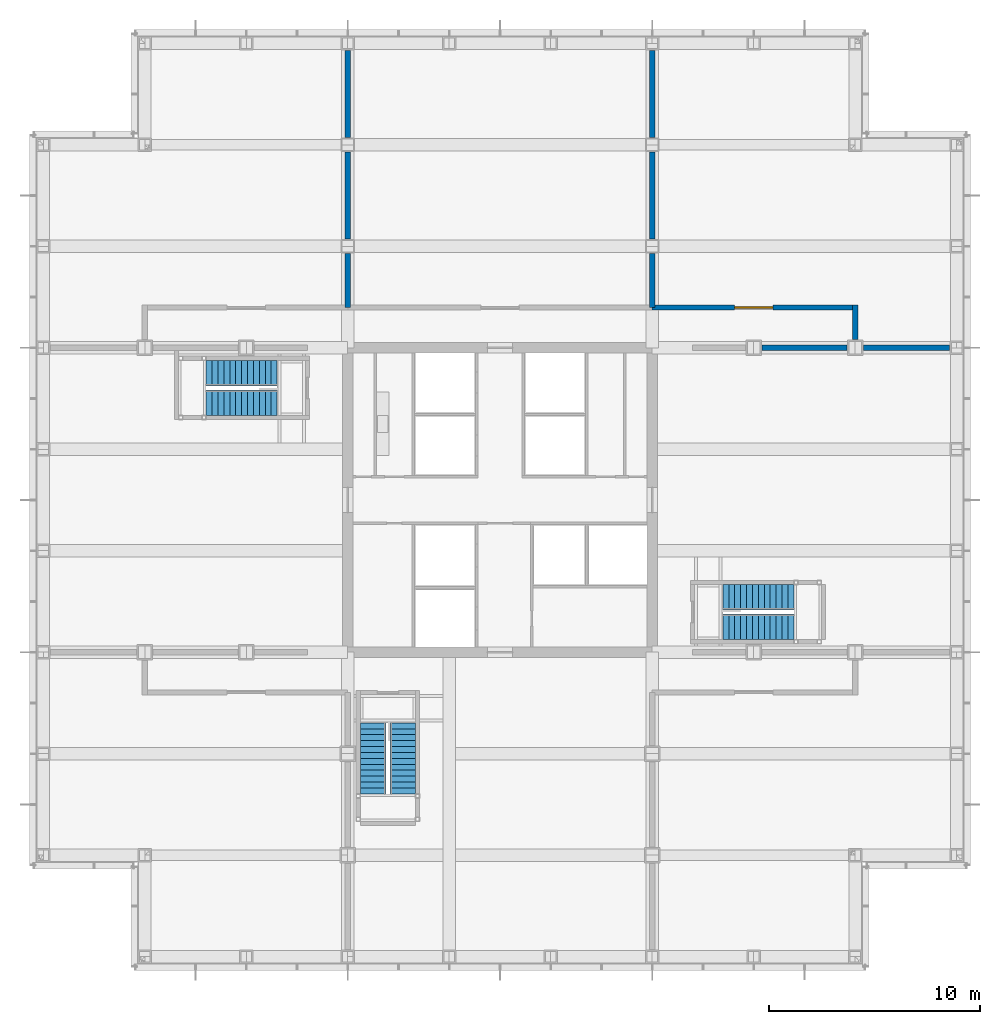
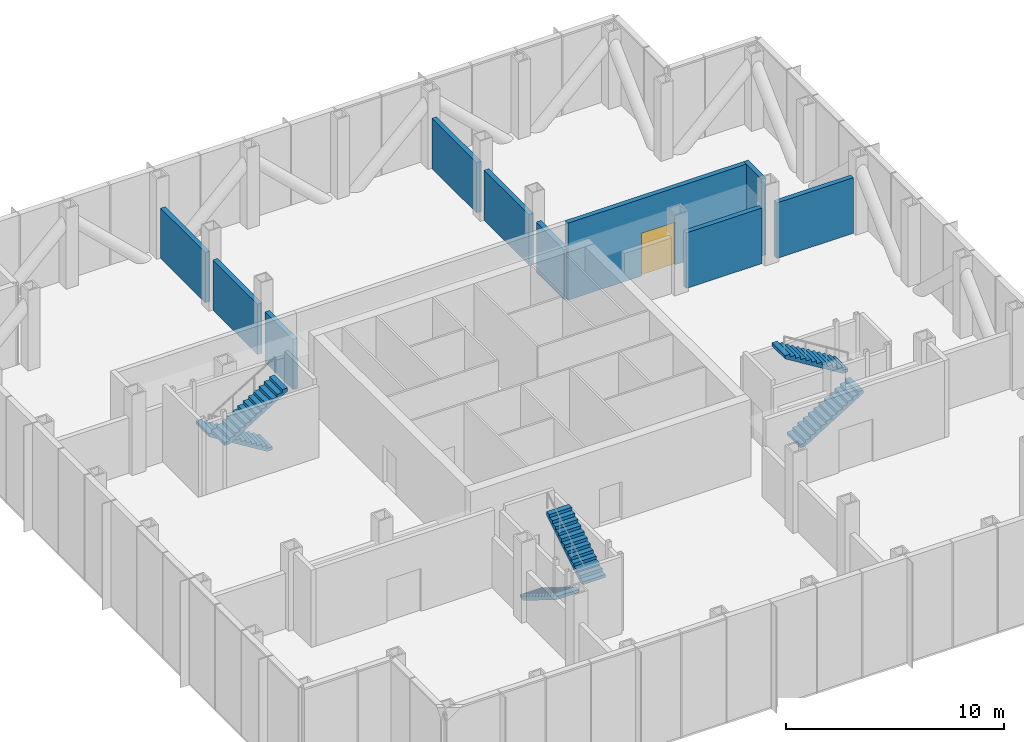
# One storey, part 15 of 18: 10 walls, 6 stair flights, 1 door, 1 opening, 3 elements without a shape of their own.
"""IFC4 building model written with IfcOpenShell, lengths in metres."""

from ifc_helpers import new_model, si_unit, direction, frame, frame_2d, origin, place, context, subcontext, project, spatial, polyline, rectangle, outline, extrude, material, layer, layer_set, type_object, element, fill, aggregate, save


model = new_model("IFC4")

# Units and contexts
model_context = context("Model", 3, precision=1e-05, world=origin(), true_north=direction((0.0, 1.0)))
body_context = subcontext(model_context, "Body", "Model", "MODEL_VIEW")
ifc_project = project(units=[si_unit("LENGTHUNIT", "METRE"), si_unit("AREAUNIT", "SQUARE_METRE"), si_unit("VOLUMEUNIT", "CUBIC_METRE"), si_unit("PLANEANGLEUNIT", "RADIAN"), si_unit("MASSUNIT", "GRAM", prefix="KILO")], contexts=[model_context])

# Site, building, storey
site_placement = place(None, origin())
site = spatial("IfcSite", under=ifc_project, at=site_placement, CompositionType="ELEMENT")
building_placement = place(site_placement, origin())
building = spatial("IfcBuilding", under=site, at=building_placement, Name="Kvirike Care Tower", CompositionType="ELEMENT")
storey_placement = place(building_placement, frame((0.0, 0.0, 79.5)))
storey = spatial("IfcBuildingStorey", under=building, at=storey_placement, Name="L21", CompositionType="ELEMENT", Elevation=79.5)

# Wall, opening, door
ifc_material_1 = material(Name="Concrete blockwork", Category="masonry")
ifc_layer = layer(ifc_material_1, 0.25)
ifc_layer_set = layer_set([ifc_layer], Name="PLANT ROOM WALL 250")
wall_type = type_object("IfcWallType", Name="PLANT ROOM WALL 250", PredefinedType="SOLIDWALL", material=ifc_layer_set)
wall_1_placement = place(storey_placement, frame((38.39990234375, 45.10009765625, 0.0), z_axis=(0.0, 0.0, 1.0), x_axis=(-1.0, 0.0, 0.0)))
wall_1 = element("IfcWall", 1, at=wall_1_placement, inside=storey, type_object=wall_type, Name="Plant Room Wall 250 L21", PredefinedType="SOLIDWALL", context=body_context, shape_type="SweptSolid", body=[
    extrude(rectangle(XDim=9.599853515625, YDim=0.25, at=frame_2d((4.7998046875, 0.0))), origin(), (0.0, 0.0, 1.0), 4.330078125),
])
opening_placement = place(wall_1_placement, frame((3.89990234375, 0.0, 0.0)))
opening = element("IfcOpeningElement", 2, at=opening_placement, cuts=wall_1, Name="Opening 21-008", PredefinedType="OPENING", context=body_context, shape_type="SweptSolid", body=[
    extrude(rectangle(XDim=1.800048828125, YDim=2.39990234375, at=frame_2d((0.89990234375, 1.199951171875))), frame((0.0, 0.135498046875, 0.0), z_axis=(0.0, -1.0, 0.0), x_axis=(1.0, 0.0, 0.0)), (0.0, 0.0, 1.0), 0.27099609375),
])
ifc_material_2 = material(Name="Timber door set", Category="wood")
door_type = type_object("IfcDoorType", Name="PLANT ROOM DOOR 1800", OperationType="DOUBLE_DOOR_SINGLE_SWING", PredefinedType="DOOR", material=ifc_material_2)
door_placement = place(opening_placement, frame((1.800048828125, 0.0, 0.0), z_axis=(0.0, 0.0, 1.0), x_axis=(-1.0, 0.0, 0.0)))
door = element("IfcDoor", 3, at=door_placement, inside=storey, type_object=door_type, Name="Mechanical plant room door", OperationType="DOUBLE_DOOR_SINGLE_SWING", OverallHeight=2.39990234375, OverallWidth=1.800048828125, PredefinedType="DOOR", context=body_context, shape_type="SweptSolid", body=[
    extrude(rectangle(XDim=1.800048828125, YDim=2.39990234375, at=frame_2d((0.89990234375, 1.199951171875))), frame((0.0, 0.031982421875, 0.0), z_axis=(0.0, -1.0, 0.0), x_axis=(1.0, 0.0, 0.0)), (0.0, 0.0, 1.0), 0.06396484375),
])
fill(opening, door)

# Walls
wall_2_placement = place(storey_placement, frame((38.39990234375, 45.22509765625, 0.0), z_axis=(0.0, 0.0, 1.0), x_axis=(0.0, -1.0, 0.0)))
element("IfcWall", 4, at=wall_2_placement, inside=storey, type_object=wall_type, Name="Plant Room Wall 250 L21", PredefinedType="SOLIDWALL", context=body_context, shape_type="SweptSolid", body=[
    extrude(rectangle(XDim=1.630126953125, YDim=0.25, at=frame_2d((0.81494140625, 0.0))), origin(), (0.0, 0.0, 1.0), 4.330078125),
])
wall_3_placement = place(storey_placement, frame((14.39990234375, 45.10009765625, 0.0), z_axis=(0.0, 0.0, 1.0), x_axis=(0.0, 1.0, 0.0)))
element("IfcWall", 5, at=wall_3_placement, inside=storey, type_object=wall_type, Name="Plant Room Wall 250 L21", PredefinedType="SOLIDWALL", context=body_context, shape_type="SweptSolid", body=[
    extrude(rectangle(XDim=2.554931640625, YDim=0.25, at=frame_2d((1.27734375, 0.0))), origin(), (0.0, 0.0, 1.0), 2.820068359375),
])
wall_4_placement = place(storey_placement, frame((14.39990234375, 48.344970703125, 0.0), z_axis=(0.0, 0.0, 1.0), x_axis=(0.0, 1.0, 0.0)))
element("IfcWall", 6, at=wall_4_placement, inside=storey, type_object=wall_type, Name="Plant Room Wall 250 L21", PredefinedType="SOLIDWALL", context=body_context, shape_type="SweptSolid", body=[
    extrude(rectangle(XDim=4.110107421875, YDim=0.25, at=frame_2d((2.05517578125, 0.0))), origin(), (0.0, 0.0, 1.0), 2.820068359375),
])
wall_5_placement = place(storey_placement, frame((14.39990234375, 53.14501953125, 0.0), z_axis=(0.0, 0.0, 1.0), x_axis=(0.0, 1.0, 0.0)))
element("IfcWall", 7, at=wall_5_placement, inside=storey, type_object=wall_type, Name="Plant Room Wall 250 L21", PredefinedType="SOLIDWALL", context=body_context, shape_type="SweptSolid", body=[
    extrude(rectangle(XDim=4.10986328125, YDim=0.25, at=frame_2d((2.054931640625, 0.0))), origin(), (0.0, 0.0, 1.0), 2.820068359375),
])
wall_6_placement = place(storey_placement, frame((28.800048828125, 45.10009765625, 0.0), z_axis=(0.0, 0.0, 1.0), x_axis=(0.0, 1.0, 0.0)))
element("IfcWall", 8, at=wall_6_placement, inside=storey, type_object=wall_type, Name="Plant Room Wall 250 L21", PredefinedType="SOLIDWALL", context=body_context, shape_type="SweptSolid", body=[
    extrude(rectangle(XDim=2.554931640625, YDim=0.25, at=frame_2d((1.27734375, 0.0))), origin(), (0.0, 0.0, 1.0), 2.820068359375),
])
wall_7_placement = place(storey_placement, frame((28.800048828125, 48.344970703125, 0.0), z_axis=(0.0, 0.0, 1.0), x_axis=(0.0, 1.0, 0.0)))
element("IfcWall", 9, at=wall_7_placement, inside=storey, type_object=wall_type, Name="Plant Room Wall 250 L21", PredefinedType="SOLIDWALL", context=body_context, shape_type="SweptSolid", body=[
    extrude(rectangle(XDim=4.110107421875, YDim=0.25, at=frame_2d((2.05517578125, 0.0))), origin(), (0.0, 0.0, 1.0), 2.820068359375),
])
wall_8_placement = place(storey_placement, frame((28.800048828125, 53.14501953125, 0.0), z_axis=(0.0, 0.0, 1.0), x_axis=(0.0, 1.0, 0.0)))
element("IfcWall", 10, at=wall_8_placement, inside=storey, type_object=wall_type, Name="Plant Room Wall 250 L21", PredefinedType="SOLIDWALL", context=body_context, shape_type="SweptSolid", body=[
    extrude(rectangle(XDim=4.10986328125, YDim=0.25, at=frame_2d((2.054931640625, 0.0))), origin(), (0.0, 0.0, 1.0), 2.820068359375),
])
wall_9_placement = place(storey_placement, frame((42.85498046875, 43.199951171875, 0.0), z_axis=(0.0, 0.0, 1.0), x_axis=(-1.0, 0.0, 0.0)))
element("IfcWall", 11, at=wall_9_placement, inside=storey, type_object=wall_type, Name="Plant Room Wall 250 L21", PredefinedType="SOLIDWALL", context=body_context, shape_type="SweptSolid", body=[
    extrude(rectangle(XDim=4.06005859375, YDim=0.25, at=frame_2d((2.030029296875, 0.0))), origin(), (0.0, 0.0, 1.0), 3.1201171875),
])
wall_10_placement = place(storey_placement, frame((38.0048828125, 43.199951171875, 0.0), z_axis=(0.0, 0.0, 1.0), x_axis=(-1.0, 0.0, 0.0)))
element("IfcWall", 12, at=wall_10_placement, inside=storey, type_object=wall_type, Name="Plant Room Wall 250 L21", PredefinedType="SOLIDWALL", context=body_context, shape_type="SweptSolid", body=[
    extrude(rectangle(XDim=4.009765625, YDim=0.25, at=frame_2d((2.0048828125, 0.0))), origin(), (0.0, 0.0, 1.0), 3.1201171875),
])

# Stair, stair flights
ifc_material_3 = material(Name="Concrete C35/45", Category="concrete")
stair_type = type_object("IfcStairType", Name="STAIR 26 RISERS", PredefinedType="HALF_TURN_STAIR", material=ifc_material_3)
stair_1_placement = place(storey_placement, origin())
stair_1 = element("IfcStair", 13, at=stair_1_placement, inside=storey, type_object=stair_type, Name="Stair 1 L21", PredefinedType="HALF_TURN_STAIR")
ifc_material_4 = material(Name="Concrete C35/45", Category="concrete")
stair_flight_type = type_object("IfcStairFlightType", Name="FLIGHT 13 RISERS", PredefinedType="STRAIGHT", material=ifc_material_4)
stair_flight_1_placement = place(storey_placement, frame((11.06005859375, 42.0, 0.0), z_axis=(0.0, 0.0, 1.0), x_axis=(-1.0, 0.0, 0.0)))
stair_flight_1 = element("IfcStairFlight", 14, at=stair_flight_1_placement, type_object=stair_flight_type, Name="Stair S1 flight 1 L21-L22", NumberOfRisers=13, NumberOfTreads=12, PredefinedType="STRAIGHT", RiserHeight=0.173076923, TreadLength=0.28, context=body_context, shape_type="SweptSolid", body=[
    extrude(outline(polyline([(0.0, 0.0), (0.0, 0.173095703125), (0.280029296875, 0.173095703125), (0.280029296875, 0.34619140625), (0.56005859375, 0.34619140625), (0.56005859375, 0.519287109375), (0.840087890625, 0.519287109375), (0.840087890625, 0.6923828125), (1.1201171875, 0.6923828125), (1.1201171875, 0.865478515625), (1.39990234375, 0.865478515625), (1.39990234375, 1.03857421875), (1.679931640625, 1.03857421875), (1.679931640625, 1.21142578125), (1.9599609375, 1.21142578125), (1.9599609375, 1.384521484375), (2.239990234375, 1.384521484375), (2.239990234375, 1.5576171875), (2.52001953125, 1.5576171875), (2.52001953125, 1.730712890625), (2.800048828125, 1.730712890625), (2.800048828125, 1.90380859375), (3.080078125, 1.90380859375), (3.080078125, 2.076904296875), (3.360107421875, 2.076904296875), (3.360107421875, 2.25), (3.360107421875, 1.900634765625), (0.28515625, 0.0), (0.0, 0.0)])), frame((0.0, 0.60009765625, 0.0), z_axis=(0.0, -1.0, 0.0), x_axis=(1.0, 0.0, 0.0)), (0.0, 0.0, 1.0), 1.199951171875),
])
stair_flight_2_placement = place(storey_placement, frame((7.699951171875, 40.60009765625, 2.25), z_axis=(0.0, 0.0, 1.0), x_axis=(1.0, 0.0, 0.0)))
stair_flight_2 = element("IfcStairFlight", 15, at=stair_flight_2_placement, type_object=stair_flight_type, Name="Stair S1 flight 2 L21-L22", NumberOfRisers=13, NumberOfTreads=12, PredefinedType="STRAIGHT", RiserHeight=0.173076923, TreadLength=0.28, context=body_context, shape_type="SweptSolid", body=[
    extrude(outline(polyline([(0.0, 0.0), (0.0, 0.173095703125), (0.280029296875, 0.173095703125), (0.280029296875, 0.34619140625), (0.56005859375, 0.34619140625), (0.56005859375, 0.519287109375), (0.840087890625, 0.519287109375), (0.840087890625, 0.6923828125), (1.1201171875, 0.6923828125), (1.1201171875, 0.865478515625), (1.39990234375, 0.865478515625), (1.39990234375, 1.03857421875), (1.679931640625, 1.03857421875), (1.679931640625, 1.21142578125), (1.9599609375, 1.21142578125), (1.9599609375, 1.384521484375), (2.239990234375, 1.384521484375), (2.239990234375, 1.5576171875), (2.52001953125, 1.5576171875), (2.52001953125, 1.730712890625), (2.800048828125, 1.730712890625), (2.800048828125, 1.90380859375), (3.080078125, 1.90380859375), (3.080078125, 2.076904296875), (3.360107421875, 2.076904296875), (3.360107421875, 2.25), (3.360107421875, 1.900634765625), (0.28515625, 0.0), (0.0, 0.0)])), frame((0.0, 0.60009765625, 0.0), z_axis=(0.0, -1.0, 0.0), x_axis=(1.0, 0.0, 0.0)), (0.0, 0.0, 1.0), 1.199951171875),
])
aggregate(stair_1, [stair_flight_1, stair_flight_2])

stair_2_placement = place(storey_placement, origin())
stair_2 = element("IfcStair", 16, at=stair_2_placement, inside=storey, type_object=stair_type, Name="Stair 2 L21", PredefinedType="HALF_TURN_STAIR")
stair_flight_3_placement = place(storey_placement, frame((32.139892578125, 30.0, 0.0), z_axis=(0.0, 0.0, 1.0), x_axis=(1.0, 0.0, 0.0)))
stair_flight_3 = element("IfcStairFlight", 17, at=stair_flight_3_placement, type_object=stair_flight_type, Name="Stair S2 flight 1 L21-L22", NumberOfRisers=13, NumberOfTreads=12, PredefinedType="STRAIGHT", RiserHeight=0.173076923, TreadLength=0.28, context=body_context, shape_type="SweptSolid", body=[
    extrude(outline(polyline([(0.0, 0.0), (0.0, 0.173095703125), (0.280029296875, 0.173095703125), (0.280029296875, 0.34619140625), (0.56005859375, 0.34619140625), (0.56005859375, 0.519287109375), (0.840087890625, 0.519287109375), (0.840087890625, 0.6923828125), (1.1201171875, 0.6923828125), (1.1201171875, 0.865478515625), (1.39990234375, 0.865478515625), (1.39990234375, 1.03857421875), (1.679931640625, 1.03857421875), (1.679931640625, 1.21142578125), (1.9599609375, 1.21142578125), (1.9599609375, 1.384521484375), (2.239990234375, 1.384521484375), (2.239990234375, 1.5576171875), (2.52001953125, 1.5576171875), (2.52001953125, 1.730712890625), (2.800048828125, 1.730712890625), (2.800048828125, 1.90380859375), (3.080078125, 1.90380859375), (3.080078125, 2.076904296875), (3.360107421875, 2.076904296875), (3.360107421875, 2.25), (3.360107421875, 1.900634765625), (0.28515625, 0.0), (0.0, 0.0)])), frame((0.0, 0.60009765625, 0.0), z_axis=(0.0, -1.0, 0.0), x_axis=(1.0, 0.0, 0.0)), (0.0, 0.0, 1.0), 1.199951171875),
])
stair_flight_4_placement = place(storey_placement, frame((35.5, 31.39990234375, 2.25), z_axis=(0.0, 0.0, 1.0), x_axis=(-1.0, 0.0, 0.0)))
stair_flight_4 = element("IfcStairFlight", 18, at=stair_flight_4_placement, type_object=stair_flight_type, Name="Stair S2 flight 2 L21-L22", NumberOfRisers=13, NumberOfTreads=12, PredefinedType="STRAIGHT", RiserHeight=0.173076923, TreadLength=0.28, context=body_context, shape_type="SweptSolid", body=[
    extrude(outline(polyline([(0.0, 0.0), (0.0, 0.173095703125), (0.280029296875, 0.173095703125), (0.280029296875, 0.34619140625), (0.56005859375, 0.34619140625), (0.56005859375, 0.519287109375), (0.840087890625, 0.519287109375), (0.840087890625, 0.6923828125), (1.1201171875, 0.6923828125), (1.1201171875, 0.865478515625), (1.39990234375, 0.865478515625), (1.39990234375, 1.03857421875), (1.679931640625, 1.03857421875), (1.679931640625, 1.21142578125), (1.9599609375, 1.21142578125), (1.9599609375, 1.384521484375), (2.239990234375, 1.384521484375), (2.239990234375, 1.5576171875), (2.52001953125, 1.5576171875), (2.52001953125, 1.730712890625), (2.800048828125, 1.730712890625), (2.800048828125, 1.90380859375), (3.080078125, 1.90380859375), (3.080078125, 2.076904296875), (3.360107421875, 2.076904296875), (3.360107421875, 2.25), (3.360107421875, 1.900634765625), (0.28515625, 0.0), (0.0, 0.0)])), frame((0.0, 0.60009765625, 0.0), z_axis=(0.0, -1.0, 0.0), x_axis=(1.0, 0.0, 0.0)), (0.0, 0.0, 1.0), 1.199951171875),
])
aggregate(stair_2, [stair_flight_3, stair_flight_4])

stair_3_placement = place(storey_placement, origin())
stair_3 = element("IfcStair", 19, at=stair_3_placement, inside=storey, type_object=stair_type, Name="Stair 5 L21", PredefinedType="HALF_TURN_STAIR")
stair_flight_5_placement = place(storey_placement, frame((15.60009765625, 25.4599609375, 0.0), z_axis=(0.0, 0.0, 1.0), x_axis=(0.0, -1.0, 0.0)))
stair_flight_5 = element("IfcStairFlight", 20, at=stair_flight_5_placement, type_object=stair_flight_type, Name="Stair S5 flight 1 L21-L22", NumberOfRisers=13, NumberOfTreads=12, PredefinedType="STRAIGHT", RiserHeight=0.173076923, TreadLength=0.28, context=body_context, shape_type="SweptSolid", body=[
    extrude(outline(polyline([(0.0, 0.0), (0.0, 0.173095703125), (0.280029296875, 0.173095703125), (0.280029296875, 0.34619140625), (0.56005859375, 0.34619140625), (0.56005859375, 0.519287109375), (0.840087890625, 0.519287109375), (0.840087890625, 0.6923828125), (1.1201171875, 0.6923828125), (1.1201171875, 0.865478515625), (1.39990234375, 0.865478515625), (1.39990234375, 1.03857421875), (1.679931640625, 1.03857421875), (1.679931640625, 1.21142578125), (1.9599609375, 1.21142578125), (1.9599609375, 1.384521484375), (2.239990234375, 1.384521484375), (2.239990234375, 1.5576171875), (2.52001953125, 1.5576171875), (2.52001953125, 1.730712890625), (2.800048828125, 1.730712890625), (2.800048828125, 1.90380859375), (3.080078125, 1.90380859375), (3.080078125, 2.076904296875), (3.360107421875, 2.076904296875), (3.360107421875, 2.25), (3.360107421875, 1.900634765625), (0.28515625, 0.0), (0.0, 0.0)])), frame((0.0, 0.60009765625, 0.0), z_axis=(0.0, -1.0, 0.0), x_axis=(1.0, 0.0, 0.0)), (0.0, 0.0, 1.0), 1.199951171875),
])
stair_flight_6_placement = place(storey_placement, frame((17.0, 22.10009765625, 2.25), z_axis=(0.0, 0.0, 1.0), x_axis=(0.0, 1.0, 0.0)))
stair_flight_6 = element("IfcStairFlight", 21, at=stair_flight_6_placement, type_object=stair_flight_type, Name="Stair S5 flight 2 L21-L22", NumberOfRisers=13, NumberOfTreads=12, PredefinedType="STRAIGHT", RiserHeight=0.173076923, TreadLength=0.28, context=body_context, shape_type="SweptSolid", body=[
    extrude(outline(polyline([(0.0, 0.0), (0.0, 0.173095703125), (0.280029296875, 0.173095703125), (0.280029296875, 0.34619140625), (0.56005859375, 0.34619140625), (0.56005859375, 0.519287109375), (0.840087890625, 0.519287109375), (0.840087890625, 0.6923828125), (1.1201171875, 0.6923828125), (1.1201171875, 0.865478515625), (1.39990234375, 0.865478515625), (1.39990234375, 1.03857421875), (1.679931640625, 1.03857421875), (1.679931640625, 1.21142578125), (1.9599609375, 1.21142578125), (1.9599609375, 1.384521484375), (2.239990234375, 1.384521484375), (2.239990234375, 1.5576171875), (2.52001953125, 1.5576171875), (2.52001953125, 1.730712890625), (2.800048828125, 1.730712890625), (2.800048828125, 1.90380859375), (3.080078125, 1.90380859375), (3.080078125, 2.076904296875), (3.360107421875, 2.076904296875), (3.360107421875, 2.25), (3.360107421875, 1.900634765625), (0.28515625, 0.0), (0.0, 0.0)])), frame((0.0, 0.60009765625, 0.0), z_axis=(0.0, -1.0, 0.0), x_axis=(1.0, 0.0, 0.0)), (0.0, 0.0, 1.0), 1.199951171875),
])
aggregate(stair_3, [stair_flight_5, stair_flight_6])

save(model, "model.ifc")
